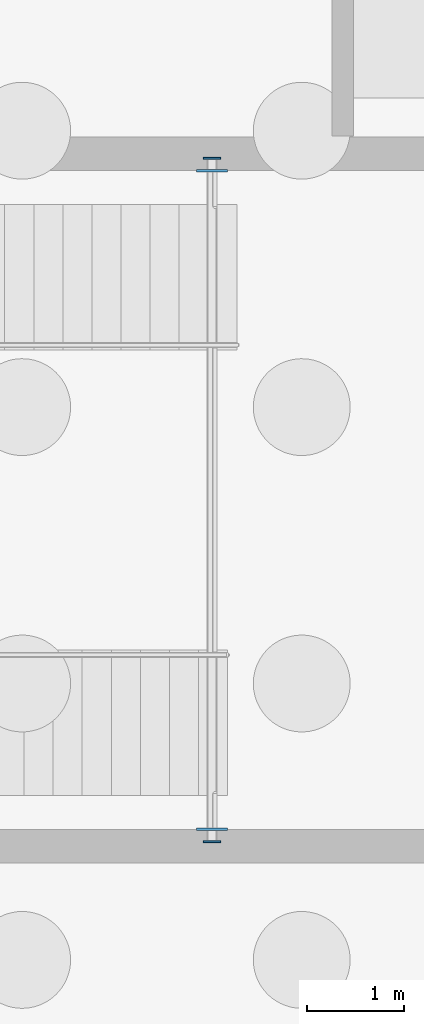
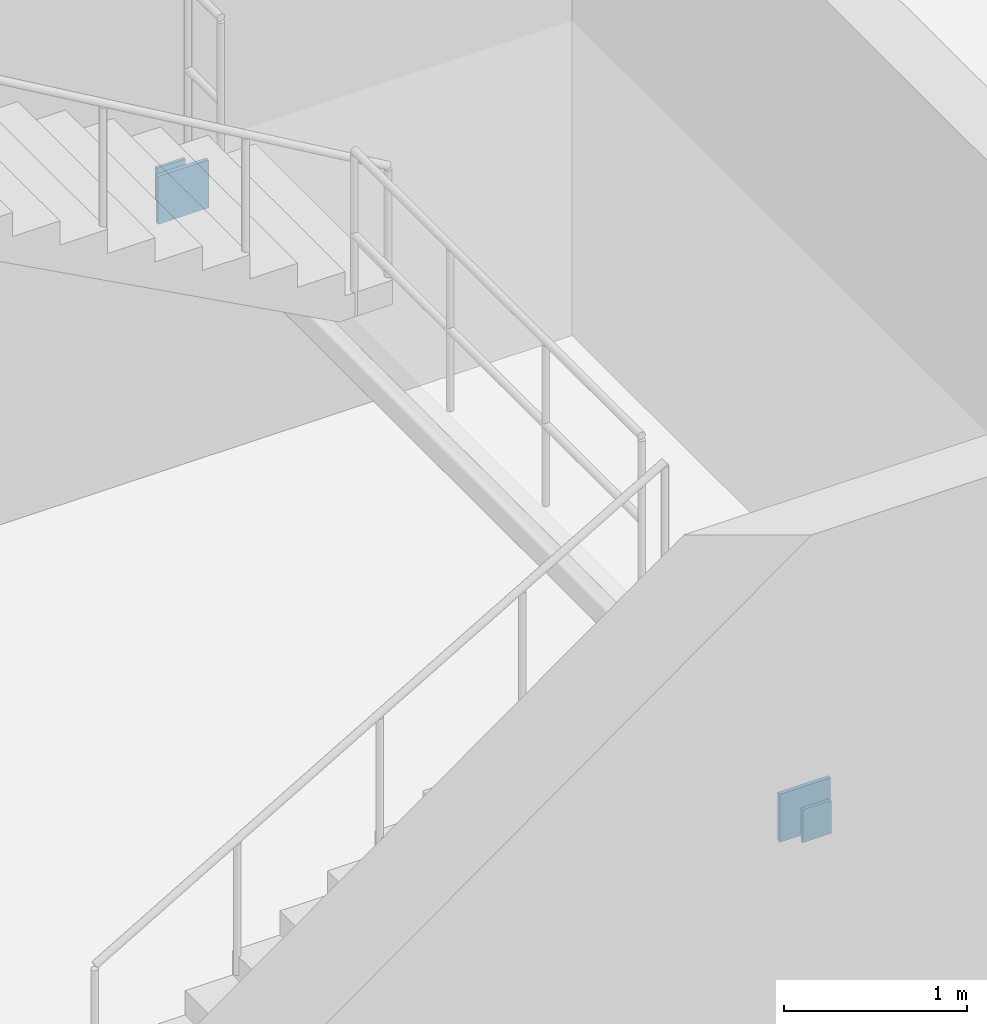
# One storey, part 15 of 36: 4 plates.
"""IFC4 building model written with IfcOpenShell, lengths in metres."""

from ifc_helpers import new_model, si_unit, direction, frame, origin, origin_2d, place, context, subcontext, project, spatial, rectangle, extrude, material, layer, layer_set, type_object, element, save


model = new_model("IFC4")

# Units and contexts
model_context = context("Model", 3, precision=1e-05, world=origin(), true_north=direction((0.0, 1.0)))
body_context = subcontext(model_context, "Body", "Model", "MODEL_VIEW")
ifc_project = project(units=[si_unit("LENGTHUNIT", "METRE"), si_unit("AREAUNIT", "SQUARE_METRE"), si_unit("VOLUMEUNIT", "CUBIC_METRE"), si_unit("PLANEANGLEUNIT", "RADIAN"), si_unit("MASSUNIT", "GRAM", prefix="KILO"), si_unit("THERMODYNAMICTEMPERATUREUNIT", "KELVIN"), si_unit("POWERUNIT", "WATT")], contexts=[model_context])

# Site, building, storey
site_placement = place(None, origin())
site = spatial("IfcSite", under=ifc_project, at=site_placement, CompositionType="ELEMENT")
building_placement = place(site_placement, origin())
building = spatial("IfcBuilding", under=site, at=building_placement, Name="Solvatero Civic Police Headquarters", CompositionType="ELEMENT")
storey_placement = place(building_placement, frame((0.0, 0.0, -8.39990234375)))
storey = spatial("IfcBuildingStorey", under=building, at=storey_placement, Name="B02", CompositionType="ELEMENT", Elevation=-8.39990234375)

# Plates
ifc_material = material(Name="Steel S355", Category="steel")
ifc_layer_1 = layer(ifc_material, 0.02001953125)
ifc_layer_set_1 = layer_set([ifc_layer_1], Name="Steel S355")
plate_type_1 = type_object("IfcPlateType", Name="PLT-CAP-20", PredefinedType="SHEET", material=ifc_layer_set_1)
for number, where, z_axis, x_axis, name in (
    (1, (46.139892578125, 42.469970703125, 1.71484375), (0.0, 0.0, 1.0), (1.0, 0.0, 0.0), "Hollow Section Cap Plate 0019"),
    (2, (46.139892578125, 49.530029296875, 1.71484375), (0.0, 0.0, 1.0), (1.0, 0.0, 0.0), "Hollow Section Cap Plate 0020"),
):
    element("IfcPlate", number, at=place(storey_placement, frame(where, z_axis=z_axis, x_axis=x_axis)), inside=storey, type_object=plate_type_1, Name=name, PredefinedType="SHEET", context=body_context, shape_type="SweptSolid", body=[
        extrude(rectangle(XDim=0.179931640625, YDim=0.02001953125, at=origin_2d()), origin(), (0.0, 0.0, 1.0), 0.219970703125),
    ])
ifc_layer_2 = layer(ifc_material, 0.02490234375)
ifc_layer_set_2 = layer_set([ifc_layer_2], Name="Steel S355")
plate_type_2 = type_object("IfcPlateType", Name="PLT-EMB-25", PredefinedType="SHEET", material=ifc_layer_set_2)
for number, where, z_axis, x_axis, name in (
    (3, (46.139892578125, 42.60009765625, 1.6650390625), (0.0, 0.0, 1.0), (1.0, 0.0, 0.0), "Cast-In Shear Wall Embed Plate 0019"),
    (4, (46.139892578125, 49.39990234375, 1.6650390625), (0.0, 0.0, 1.0), (1.0, 0.0, 0.0), "Cast-In Shear Wall Embed Plate 0020"),
):
    element("IfcPlate", number, at=place(storey_placement, frame(where, z_axis=z_axis, x_axis=x_axis)), inside=storey, type_object=plate_type_2, Name=name, PredefinedType="SHEET", context=body_context, shape_type="SweptSolid", body=[
        extrude(rectangle(XDim=0.320068359375, YDim=0.02490234375, at=origin_2d()), origin(), (0.0, 0.0, 1.0), 0.320068359375),
    ])

save(model, "model.ifc")
